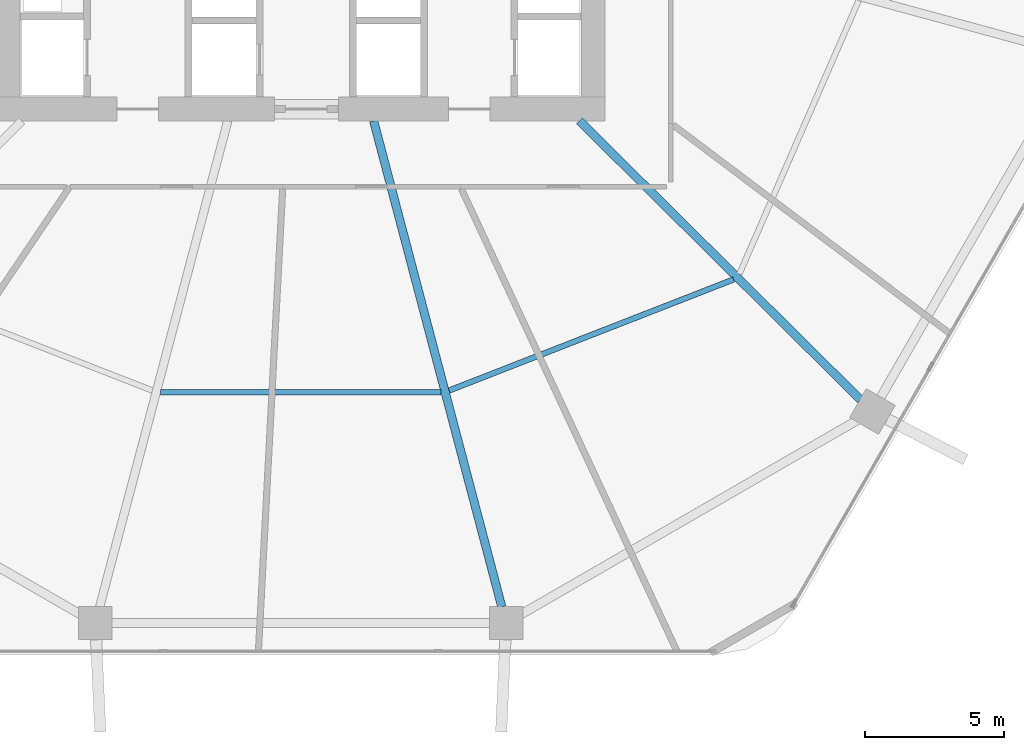
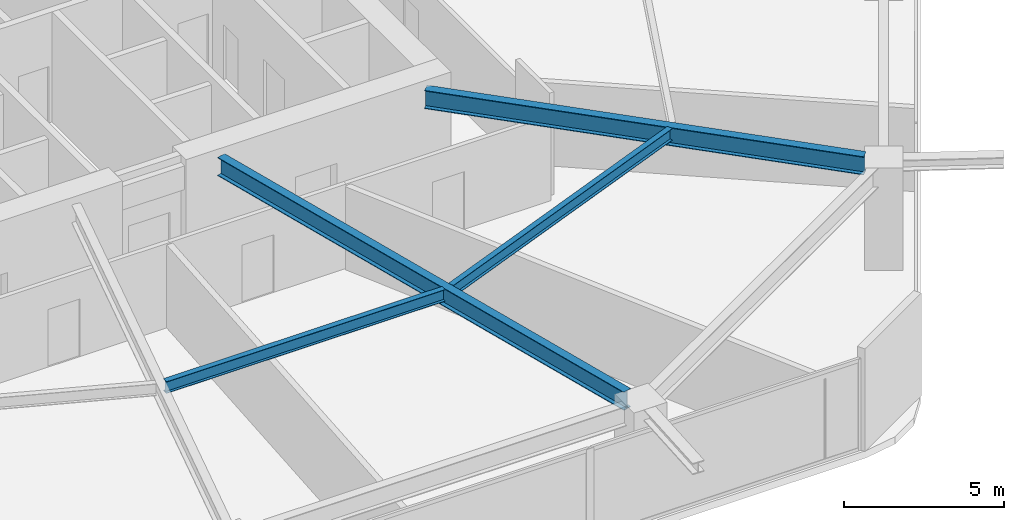
# One storey, part 8 of 25: 4 beams.
"""IFC4 building model written with IfcOpenShell, lengths in metres."""

from ifc_helpers import new_model, si_unit, direction, frame, origin, origin_2d, place, context, subcontext, project, spatial, i_section, extrude, material, material_profile, profile_set, type_object, element, save


model = new_model("IFC4")

# Units and contexts
model_context = context("Model", 3, precision=1e-05, world=origin(), true_north=direction((0.0, 1.0)))
body_context = subcontext(model_context, "Body", "Model", "MODEL_VIEW")
ifc_project = project(units=[si_unit("LENGTHUNIT", "METRE"), si_unit("AREAUNIT", "SQUARE_METRE"), si_unit("VOLUMEUNIT", "CUBIC_METRE"), si_unit("PLANEANGLEUNIT", "RADIAN"), si_unit("MASSUNIT", "GRAM", prefix="KILO")], contexts=[model_context])

# Site, building, storey
site_placement = place(None, origin())
site = spatial("IfcSite", under=ifc_project, at=site_placement, CompositionType="ELEMENT")
building_placement = place(site_placement, origin())
building = spatial("IfcBuilding", under=site, at=building_placement, Name="Zuhravey Tower", CompositionType="ELEMENT")
storey_placement = place(building_placement, frame((0.0, 0.0, 45.60009765625)))
storey = spatial("IfcBuildingStorey", under=building, at=storey_placement, Name="L11", CompositionType="ELEMENT", Elevation=45.60009765625)

# Beams
ifc_material = material(Name="Steel SM355", Category="steel")
ifc_material_profile_1 = material_profile(ifc_material, i_section(OverallWidth=0.300048828125, OverallDepth=0.699951171875, WebThickness=0.012939453125, FlangeThickness=0.02392578125, at=origin_2d()), Name="H-700x300x13x24")
ifc_profile_set_1 = profile_set([ifc_material_profile_1], Name="Steel SM355")
beam_type_1 = type_object("IfcBeamType", Name="Radial Primary Girder H700x300", PredefinedType="BEAM", material=ifc_profile_set_1)
beam_1_placement = place(storey_placement, frame((38.617919921875, 22.072021484375, 3.56982421875), z_axis=(0.254989720435, -0.966943763862, 0.0), x_axis=(0.966943763862, 0.254989720435, 0.0)))
element("IfcBeam", 1, at=beam_1_placement, inside=storey, type_object=beam_type_1, Name="L11 RG1 BM-L11-RAD-10", PredefinedType="BEAM", context=body_context, shape_type="SweptSolid", body=[
    extrude(i_section(OverallWidth=0.300048828125, OverallDepth=0.699951171875, WebThickness=0.012939453125, FlangeThickness=0.02392578125, at=origin_2d()), origin(), (0.0, 0.0, 1.0), 18.03369140625),
])
beam_2_placement = place(storey_placement, frame((46.007080078125, 22.072021484375, 3.56982421875), z_axis=(0.709902823282, -0.704299639, 0.0), x_axis=(0.704299639, 0.709902823282, 0.0)))
element("IfcBeam", 2, at=beam_2_placement, inside=storey, type_object=beam_type_1, Name="L11 RG1 BM-L11-RAD-11", PredefinedType="BEAM", context=body_context, shape_type="SweptSolid", body=[
    extrude(i_section(OverallWidth=0.300048828125, OverallDepth=0.699951171875, WebThickness=0.012939453125, FlangeThickness=0.02392578125, at=origin_2d()), origin(), (0.0, 0.0, 1.0), 14.204345703125),
])
ifc_material_profile_2 = material_profile(ifc_material, i_section(OverallWidth=0.199951171875, OverallDepth=0.449951171875, WebThickness=0.009033203125, FlangeThickness=0.013916015625, at=origin_2d()), Name="H-450x200x9x14")
ifc_profile_set_2 = profile_set([ifc_material_profile_2], Name="Steel SM355")
beam_type_2 = type_object("IfcBeamType", Name="Secondary Floor Joist H450x200", PredefinedType="JOIST", material=ifc_profile_set_2)
beam_3_placement = place(storey_placement, frame((30.969970703125, 12.3408203125, 3.69482421875), z_axis=(1.0, 0.0, 0.0), x_axis=(0.0, 1.0, 0.0)))
element("IfcBeam", 3, at=beam_3_placement, inside=storey, type_object=beam_type_2, Name="L11 SJ1 BM-L11-SJ-09-1", PredefinedType="JOIST", context=body_context, shape_type="SweptSolid", body=[
    extrude(i_section(OverallWidth=0.199951171875, OverallDepth=0.449951171875, WebThickness=0.009033203125, FlangeThickness=0.013916015625, at=origin_2d()), origin(), (0.0, 0.0, 1.0), 10.06005859375),
])
beam_4_placement = place(storey_placement, frame((41.32763671875, 12.39697265625, 3.69482421875), z_axis=(0.931516535886, 0.363698973562, 0.0), x_axis=(-0.363698973562, 0.931516535886, 0.0)))
element("IfcBeam", 4, at=beam_4_placement, inside=storey, type_object=beam_type_2, Name="L11 SJ1 BM-L11-SJ-10-1", PredefinedType="JOIST", context=body_context, shape_type="SweptSolid", body=[
    extrude(i_section(OverallWidth=0.199951171875, OverallDepth=0.449951171875, WebThickness=0.009033203125, FlangeThickness=0.013916015625, at=origin_2d()), origin(), (0.0, 0.0, 1.0), 10.963134765625),
])

save(model, "model.ifc")
